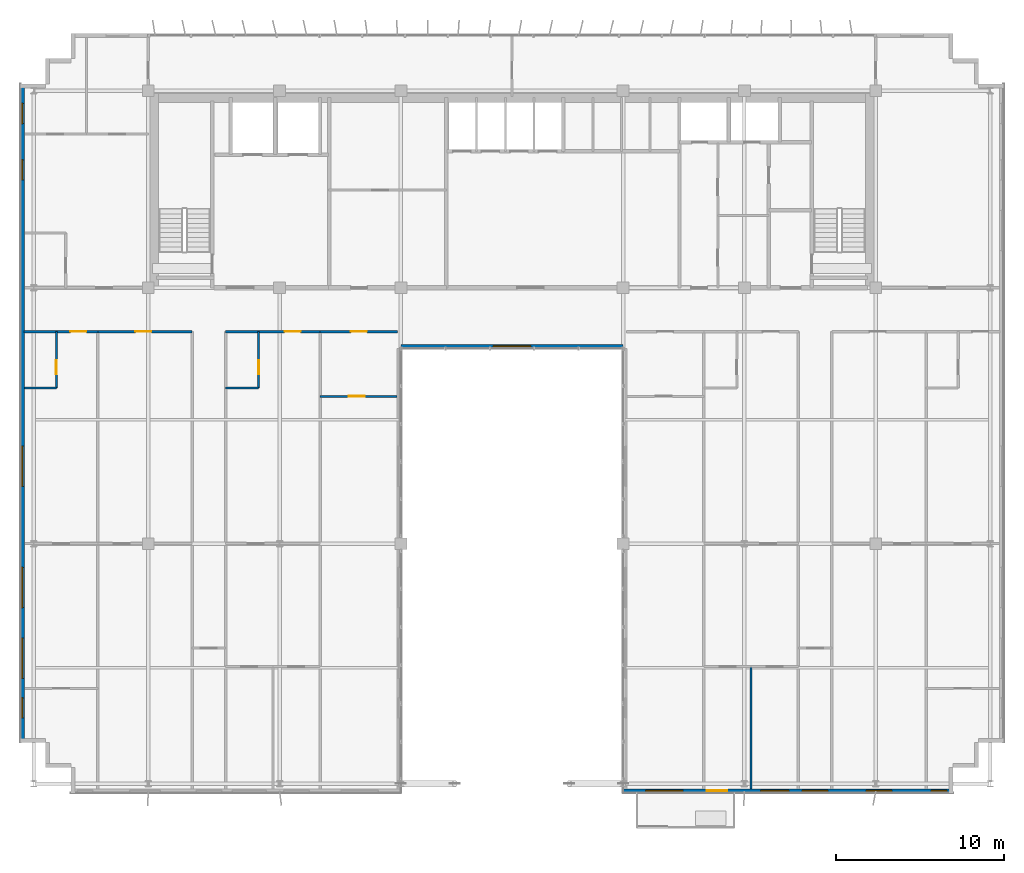
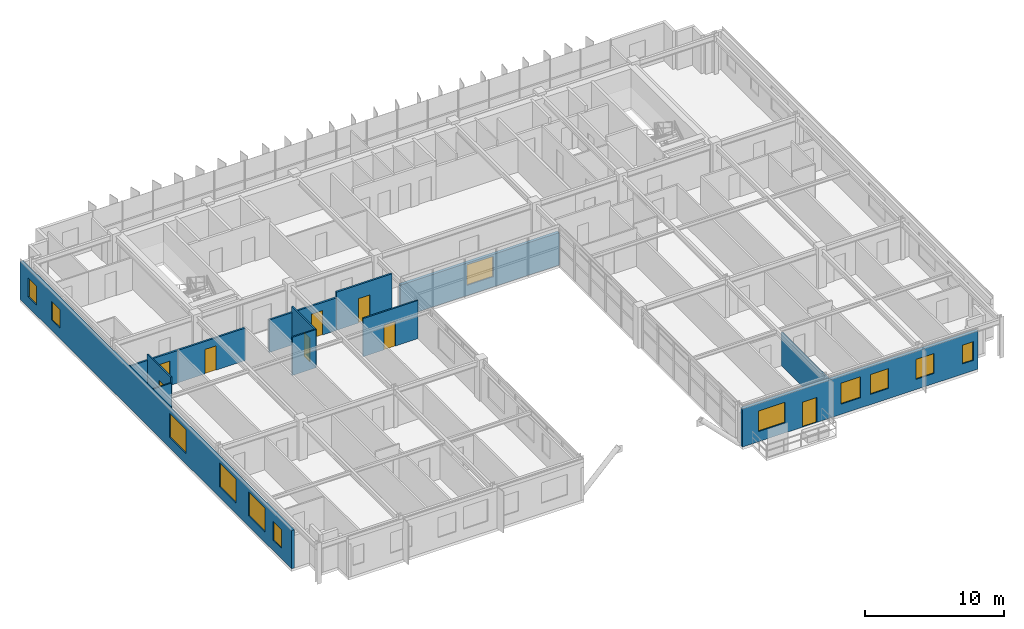
# One storey, part 28 of 34: 13 walls, 12 windows, 8 doors, 20 openings.
"""IFC4 building model written with IfcOpenShell, lengths in metres."""

from ifc_helpers import new_model, si_unit, direction, frame, frame_2d, origin, place, context, subcontext, project, spatial, rectangle, extrude, source, transform, mapped, material, layer, layer_set, type_object, element, fill, save


model = new_model("IFC4")

# Units and contexts
model_context = context("Model", 3, precision=1e-05, world=origin(), true_north=direction((0.0, 1.0)))
body_context = subcontext(model_context, "Body", "Model", "MODEL_VIEW")
ifc_project = project(units=[si_unit("LENGTHUNIT", "METRE"), si_unit("AREAUNIT", "SQUARE_METRE"), si_unit("VOLUMEUNIT", "CUBIC_METRE"), si_unit("PLANEANGLEUNIT", "RADIAN"), si_unit("MASSUNIT", "GRAM", prefix="KILO")], contexts=[model_context])

# Site, building, storey
site_placement = place(None, origin())
site = spatial("IfcSite", under=ifc_project, at=site_placement, CompositionType="ELEMENT")
building_placement = place(site_placement, origin())
building = spatial("IfcBuilding", under=site, at=building_placement, Name="Trelvane Seafront Commons", CompositionType="ELEMENT")
storey_placement = place(building_placement, frame((0.0, 0.0, 197.699951171875)))
storey = spatial("IfcBuildingStorey", under=building, at=storey_placement, Name="L51", CompositionType="ELEMENT", Elevation=197.699951171875)

# Wall, openings, windows
ifc_material_1 = material(Name="Precast concrete C40/50", Category="concrete")
ifc_layer_1 = layer(ifc_material_1, 0.239990234375, Name="ARCH-WALL-EXT240")
ifc_layer_set_1 = layer_set([ifc_layer_1], Name="Precast concrete C40/50")
wall_type_1 = type_object("IfcWallType", Name="ARCH-WALL-EXT240", PredefinedType="SOLIDWALL", material=ifc_layer_set_1)
wall_1_placement = place(storey_placement, frame((8.1201171875, 6.39990234375, 0.0), z_axis=(0.0, 0.0, 1.0), x_axis=(0.0, 1.0, 0.0)))
wall_1 = element("IfcWall", 1, at=wall_1_placement, inside=storey, type_object=wall_type_1, Name="EW-L51-01012", PredefinedType="SOLIDWALL", context=body_context, shape_type="SweptSolid", body=[
    extrude(rectangle(XDim=39.10009765625, YDim=0.239990234375, at=frame_2d((19.550048828125, 0.0))), origin(), (0.0, 0.0, 1.0), 3.360107421875),
])
opening_1_placement = place(wall_1_placement, frame((1.449951171875, 0.0, 0.919921875)))
opening_1 = element("IfcOpeningElement", 2, at=opening_1_placement, cuts=wall_1, Name="Opening W05", PredefinedType="OPENING", context=body_context, shape_type="SweptSolid", body=[
    extrude(rectangle(XDim=1.199951171875, YDim=1.64990234375, at=frame_2d((0.60009765625, 0.824951171875))), frame((0.0, 0.1298828125, 0.0), z_axis=(0.0, -1.0, 0.0), x_axis=(1.0, 0.0, 0.0)), (0.0, 0.0, 1.0), 0.260009765625),
])
opening_2_placement = place(wall_1_placement, frame((3.800048828125, 0.0, 0.919921875)))
opening_2 = element("IfcOpeningElement", 3, at=opening_2_placement, cuts=wall_1, Name="Opening W08", PredefinedType="OPENING", context=body_context, shape_type="SweptSolid", body=[
    extrude(rectangle(XDim=2.39990234375, YDim=2.10009765625, at=frame_2d((1.199951171875, 1.050048828125))), frame((0.0, 0.1298828125, 0.0), z_axis=(0.0, -1.0, 0.0), x_axis=(1.0, 0.0, 0.0)), (0.0, 0.0, 1.0), 0.260009765625),
])
opening_3_placement = place(wall_1_placement, frame((8.0, 0.0, 0.919921875)))
opening_3 = element("IfcOpeningElement", 4, at=opening_3_placement, cuts=wall_1, Name="Opening W08", PredefinedType="OPENING", context=body_context, shape_type="SweptSolid", body=[
    extrude(rectangle(XDim=2.39990234375, YDim=2.10009765625, at=frame_2d((1.199951171875, 1.050048828125))), frame((0.0, 0.1298828125, 0.0), z_axis=(0.0, -1.0, 0.0), x_axis=(1.0, 0.0, 0.0)), (0.0, 0.0, 1.0), 0.260009765625),
])
opening_4_placement = place(wall_1_placement, frame((15.199951171875, 0.0, 0.919921875)))
opening_4 = element("IfcOpeningElement", 5, at=opening_4_placement, cuts=wall_1, Name="Opening W08", PredefinedType="OPENING", context=body_context, shape_type="SweptSolid", body=[
    extrude(rectangle(XDim=2.39990234375, YDim=2.10009765625, at=frame_2d((1.199951171875, 1.050048828125))), frame((0.0, 0.1298828125, 0.0), z_axis=(0.0, -1.0, 0.0), x_axis=(1.0, 0.0, 0.0)), (0.0, 0.0, 1.0), 0.260009765625),
])
opening_5_placement = place(wall_1_placement, frame((33.39990234375, 0.0, 0.919921875)))
opening_5 = element("IfcOpeningElement", 6, at=opening_5_placement, cuts=wall_1, Name="Opening W05", PredefinedType="OPENING", context=body_context, shape_type="SweptSolid", body=[
    extrude(rectangle(XDim=1.199951171875, YDim=1.64990234375, at=frame_2d((0.60009765625, 0.824951171875))), frame((0.0, 0.1298828125, 0.0), z_axis=(0.0, -1.0, 0.0), x_axis=(1.0, 0.0, 0.0)), (0.0, 0.0, 1.0), 0.260009765625),
])
opening_6_placement = place(wall_1_placement, frame((36.75, 0.0, 0.919921875)))
opening_6 = element("IfcOpeningElement", 7, at=opening_6_placement, cuts=wall_1, Name="Opening W05", PredefinedType="OPENING", context=body_context, shape_type="SweptSolid", body=[
    extrude(rectangle(XDim=1.199951171875, YDim=1.64990234375, at=frame_2d((0.60009765625, 0.824951171875))), frame((0.0, 0.1298828125, 0.0), z_axis=(0.0, -1.0, 0.0), x_axis=(1.0, 0.0, 0.0)), (0.0, 0.0, 1.0), 0.260009765625),
])
ifc_material_2 = material(Name="Low-E coastal double glazing", Category="glass")
window_type_1 = type_object("IfcWindowType", Name="ARCH-WIN-W08", PartitioningType="SINGLE_PANEL", PredefinedType="WINDOW", material=ifc_material_2)
shared_shape_1 = source(origin(), body_context, "Body", "SweptSolid", [
    extrude(rectangle(XDim=2.39990234375, YDim=2.10009765625, at=frame_2d((1.199951171875, 1.050048828125))), frame((0.0, 0.030029296875, 0.0), z_axis=(0.0, -1.0, 0.0), x_axis=(1.0, 0.0, 0.0)), (0.0, 0.0, 1.0), 0.06005859375),
])
window_1_placement = place(opening_2_placement, origin())
window_1 = element("IfcWindow", 8, at=window_1_placement, inside=storey, type_object=window_type_1, Name="WIN-L51-EW-01204", OverallHeight=2.10009765625, OverallWidth=2.39990234375, PartitioningType="SINGLE_PANEL", PredefinedType="WINDOW", context=body_context, shape_type="MappedRepresentation", body=[
    mapped(shared_shape_1, transform((0.0, 0.0, 0.0), x_axis=(1.0, 0.0, 0.0), y_axis=(0.0, 1.0, 0.0), z_axis=(0.0, 0.0, 1.0), scale=1.0)),
])
fill(opening_2, window_1)
window_2_placement = place(opening_3_placement, origin())
window_2 = element("IfcWindow", 9, at=window_2_placement, inside=storey, type_object=window_type_1, Name="WIN-L51-EW-01205", OverallHeight=2.10009765625, OverallWidth=2.39990234375, PartitioningType="SINGLE_PANEL", PredefinedType="WINDOW", context=body_context, shape_type="MappedRepresentation", body=[
    mapped(shared_shape_1, transform((0.0, 0.0, 0.0), x_axis=(1.0, 0.0, 0.0), y_axis=(0.0, 1.0, 0.0), z_axis=(0.0, 0.0, 1.0), scale=1.0)),
])
fill(opening_3, window_2)
window_3_placement = place(opening_4_placement, origin())
window_3 = element("IfcWindow", 10, at=window_3_placement, inside=storey, type_object=window_type_1, Name="WIN-L51-EW-01206", OverallHeight=2.10009765625, OverallWidth=2.39990234375, PartitioningType="SINGLE_PANEL", PredefinedType="WINDOW", context=body_context, shape_type="MappedRepresentation", body=[
    mapped(shared_shape_1, transform((0.0, 0.0, 0.0), x_axis=(1.0, 0.0, 0.0), y_axis=(0.0, 1.0, 0.0), z_axis=(0.0, 0.0, 1.0), scale=1.0)),
])
fill(opening_4, window_3)
window_type_2 = type_object("IfcWindowType", Name="ARCH-WIN-W05", PartitioningType="SINGLE_PANEL", PredefinedType="WINDOW", material=ifc_material_2)
shared_shape_2 = source(origin(), body_context, "Body", "SweptSolid", [
    extrude(rectangle(XDim=1.199951171875, YDim=1.64990234375, at=frame_2d((0.60009765625, 0.824951171875))), frame((0.0, 0.030029296875, 0.0), z_axis=(0.0, -1.0, 0.0), x_axis=(1.0, 0.0, 0.0)), (0.0, 0.0, 1.0), 0.06005859375),
])
window_4_placement = place(opening_1_placement, origin())
window_4 = element("IfcWindow", 11, at=window_4_placement, inside=storey, type_object=window_type_2, Name="WIN-L51-EW-01203", OverallHeight=1.64990234375, OverallWidth=1.199951171875, PartitioningType="SINGLE_PANEL", PredefinedType="WINDOW", context=body_context, shape_type="MappedRepresentation", body=[
    mapped(shared_shape_2, transform((0.0, 0.0, 0.0), x_axis=(1.0, 0.0, 0.0), y_axis=(0.0, 1.0, 0.0), z_axis=(0.0, 0.0, 1.0), scale=1.0)),
])
fill(opening_1, window_4)
window_5_placement = place(opening_5_placement, origin())
window_5 = element("IfcWindow", 12, at=window_5_placement, inside=storey, type_object=window_type_2, Name="WIN-L51-EW-01207", OverallHeight=1.64990234375, OverallWidth=1.199951171875, PartitioningType="SINGLE_PANEL", PredefinedType="WINDOW", context=body_context, shape_type="MappedRepresentation", body=[
    mapped(shared_shape_2, transform((0.0, 0.0, 0.0), x_axis=(1.0, 0.0, 0.0), y_axis=(0.0, 1.0, 0.0), z_axis=(0.0, 0.0, 1.0), scale=1.0)),
])
fill(opening_5, window_5)
window_6_placement = place(opening_6_placement, origin())
window_6 = element("IfcWindow", 13, at=window_6_placement, inside=storey, type_object=window_type_2, Name="WIN-L51-EW-01208", OverallHeight=1.64990234375, OverallWidth=1.199951171875, PartitioningType="SINGLE_PANEL", PredefinedType="WINDOW", context=body_context, shape_type="MappedRepresentation", body=[
    mapped(shared_shape_2, transform((0.0, 0.0, 0.0), x_axis=(1.0, 0.0, 0.0), y_axis=(0.0, 1.0, 0.0), z_axis=(0.0, 0.0, 1.0), scale=1.0)),
])
fill(opening_6, window_6)

# Wall, openings, door, windows
wall_2_placement = place(storey_placement, frame((63.39990234375, 3.52001953125, 0.0), z_axis=(0.0, 0.0, 1.0), x_axis=(-1.0, 0.0, 0.0)))
wall_2 = element("IfcWall", 14, at=wall_2_placement, inside=storey, type_object=wall_type_1, Name="EW-L51-01026", PredefinedType="SOLIDWALL", context=body_context, shape_type="SweptSolid", body=[
    extrude(rectangle(XDim=19.599853515625, YDim=0.239990234375, at=frame_2d((9.7998046875, 0.0))), origin(), (0.0, 0.0, 1.0), 3.360107421875),
])
opening_7_placement = place(wall_2_placement, frame((0.39501953125, 0.0, 0.89990234375)))
opening_7 = element("IfcOpeningElement", 15, at=opening_7_placement, cuts=wall_2, Name="Opening W11", PredefinedType="OPENING", context=body_context, shape_type="SweptSolid", body=[
    extrude(rectangle(XDim=0.89990234375, YDim=1.64990234375, at=frame_2d((0.449951171875, 0.824951171875))), frame((0.0, 0.1298828125, 0.0), z_axis=(0.0, -1.0, 0.0), x_axis=(1.0, 0.0, 0.0)), (0.0, 0.0, 1.0), 0.260009765625),
])
opening_8_placement = place(wall_2_placement, frame((3.64990234375, 0.0, 0.89990234375)))
opening_8 = element("IfcOpeningElement", 16, at=opening_8_placement, cuts=wall_2, Name="Opening W03", PredefinedType="OPENING", context=body_context, shape_type="SweptSolid", body=[
    extrude(rectangle(XDim=1.5, YDim=1.75, at=frame_2d((0.75, 0.875))), frame((0.0, 0.1298828125, 0.0), z_axis=(0.0, -1.0, 0.0), x_axis=(1.0, 0.0, 0.0)), (0.0, 0.0, 1.0), 0.260009765625),
])
opening_9_placement = place(wall_2_placement, frame((7.449951171875, 0.0, 0.89990234375)))
opening_9 = element("IfcOpeningElement", 17, at=opening_9_placement, cuts=wall_2, Name="Opening W03", PredefinedType="OPENING", context=body_context, shape_type="SweptSolid", body=[
    extrude(rectangle(XDim=1.5, YDim=1.75, at=frame_2d((0.75, 0.875))), frame((0.0, 0.1298828125, 0.0), z_axis=(0.0, -1.0, 0.0), x_axis=(1.0, 0.0, 0.0)), (0.0, 0.0, 1.0), 0.260009765625),
])
opening_10_placement = place(wall_2_placement, frame((9.77490234375, 0.0, 0.89990234375)))
opening_10 = element("IfcOpeningElement", 18, at=opening_10_placement, cuts=wall_2, Name="Opening W07", PredefinedType="OPENING", context=body_context, shape_type="SweptSolid", body=[
    extrude(rectangle(XDim=1.64990234375, YDim=1.85009765625, at=frame_2d((0.824951171875, 0.925048828125))), frame((0.0, 0.1298828125, 0.0), z_axis=(0.0, -1.0, 0.0), x_axis=(1.0, 0.0, 0.0)), (0.0, 0.0, 1.0), 0.260009765625),
])
opening_11_placement = place(wall_2_placement, frame((13.419921875, 0.0, 0.0)))
opening_11 = element("IfcOpeningElement", 19, at=opening_11_placement, cuts=wall_2, Name="Opening BD-L51-112", PredefinedType="OPENING", context=body_context, shape_type="SweptSolid", body=[
    extrude(rectangle(XDim=1.199951171875, YDim=2.199951171875, at=frame_2d((0.60009765625, 1.10009765625))), frame((0.0, 0.1298828125, 0.0), z_axis=(0.0, -1.0, 0.0), x_axis=(1.0, 0.0, 0.0)), (0.0, 0.0, 1.0), 0.260009765625),
])
opening_12_placement = place(wall_2_placement, frame((16.054931640625, 0.0, 0.89990234375)))
opening_12 = element("IfcOpeningElement", 20, at=opening_12_placement, cuts=wall_2, Name="Opening W02", PredefinedType="OPENING", context=body_context, shape_type="SweptSolid", body=[
    extrude(rectangle(XDim=2.199951171875, YDim=1.800048828125, at=frame_2d((1.10009765625, 0.89990234375))), frame((0.0, 0.1298828125, 0.0), z_axis=(0.0, -1.0, 0.0), x_axis=(1.0, 0.0, 0.0)), (0.0, 0.0, 1.0), 0.260009765625),
])
ifc_material_3 = material(Name="Powder-coated aluminium frame", Category="aluminium")
door_type_1 = type_object("IfcDoorType", Name="ARCH-DR-BAL1200", OperationType="NOTDEFINED", PredefinedType="DOOR", material=ifc_material_3)
shared_shape_3 = source(origin(), body_context, "Body", "SweptSolid", [
    extrude(rectangle(XDim=1.199951171875, YDim=2.199951171875, at=frame_2d((0.60009765625, 1.10009765625))), frame((0.0, 0.02490234375, 0.0), z_axis=(0.0, -1.0, 0.0), x_axis=(1.0, 0.0, 0.0)), (0.0, 0.0, 1.0), 0.050048828125),
])
door_1_placement = place(opening_11_placement, origin())
door_1 = element("IfcDoor", 21, at=door_1_placement, inside=storey, type_object=door_type_1, Name="L51 Balcony Terrace Access Door", OperationType="SINGLE_SWING_LEFT", OverallHeight=2.199951171875, OverallWidth=1.199951171875, PredefinedType="DOOR", context=body_context, shape_type="MappedRepresentation", body=[
    mapped(shared_shape_3, transform((0.0, 0.0, 0.0), x_axis=(1.0, 0.0, 0.0), y_axis=(0.0, 1.0, 0.0), z_axis=(0.0, 0.0, 1.0), scale=1.0)),
])
fill(opening_11, door_1)
window_type_3 = type_object("IfcWindowType", Name="ARCH-WIN-W02", PartitioningType="SINGLE_PANEL", PredefinedType="WINDOW", material=ifc_material_2)
shared_shape_4 = source(origin(), body_context, "Body", "SweptSolid", [
    extrude(rectangle(XDim=2.199951171875, YDim=1.800048828125, at=frame_2d((1.10009765625, 0.89990234375))), frame((0.0, 0.030029296875, 0.0), z_axis=(0.0, -1.0, 0.0), x_axis=(1.0, 0.0, 0.0)), (0.0, 0.0, 1.0), 0.06005859375),
])
window_7_placement = place(opening_12_placement, origin())
window_7 = element("IfcWindow", 22, at=window_7_placement, inside=storey, type_object=window_type_3, Name="WIN-L51-01220", OverallHeight=1.800048828125, OverallWidth=2.199951171875, PartitioningType="SINGLE_PANEL", PredefinedType="WINDOW", context=body_context, shape_type="MappedRepresentation", body=[
    mapped(shared_shape_4, transform((0.0, 0.0, 0.0), x_axis=(1.0, 0.0, 0.0), y_axis=(0.0, 1.0, 0.0), z_axis=(0.0, 0.0, 1.0), scale=1.0)),
])
fill(opening_12, window_7)
window_type_4 = type_object("IfcWindowType", Name="ARCH-WIN-W03", PartitioningType="SINGLE_PANEL", PredefinedType="WINDOW", material=ifc_material_2)
shared_shape_5 = source(origin(), body_context, "Body", "SweptSolid", [
    extrude(rectangle(XDim=1.5, YDim=1.75, at=frame_2d((0.75, 0.875))), frame((0.0, 0.030029296875, 0.0), z_axis=(0.0, -1.0, 0.0), x_axis=(1.0, 0.0, 0.0)), (0.0, 0.0, 1.0), 0.06005859375),
])
window_8_placement = place(opening_8_placement, origin())
window_8 = element("IfcWindow", 23, at=window_8_placement, inside=storey, type_object=window_type_4, Name="WIN-L51-01217", OverallHeight=1.75, OverallWidth=1.5, PartitioningType="SINGLE_PANEL", PredefinedType="WINDOW", context=body_context, shape_type="MappedRepresentation", body=[
    mapped(shared_shape_5, transform((0.0, 0.0, 0.0), x_axis=(1.0, 0.0, 0.0), y_axis=(0.0, 1.0, 0.0), z_axis=(0.0, 0.0, 1.0), scale=1.0)),
])
fill(opening_8, window_8)
window_9_placement = place(opening_9_placement, origin())
window_9 = element("IfcWindow", 24, at=window_9_placement, inside=storey, type_object=window_type_4, Name="WIN-L51-01218", OverallHeight=1.75, OverallWidth=1.5, PartitioningType="SINGLE_PANEL", PredefinedType="WINDOW", context=body_context, shape_type="MappedRepresentation", body=[
    mapped(shared_shape_5, transform((0.0, 0.0, 0.0), x_axis=(1.0, 0.0, 0.0), y_axis=(0.0, 1.0, 0.0), z_axis=(0.0, 0.0, 1.0), scale=1.0)),
])
fill(opening_9, window_9)
window_type_5 = type_object("IfcWindowType", Name="ARCH-WIN-W07", PartitioningType="SINGLE_PANEL", PredefinedType="WINDOW", material=ifc_material_2)
shared_shape_6 = source(origin(), body_context, "Body", "SweptSolid", [
    extrude(rectangle(XDim=1.64990234375, YDim=1.85009765625, at=frame_2d((0.824951171875, 0.925048828125))), frame((0.0, 0.030029296875, 0.0), z_axis=(0.0, -1.0, 0.0), x_axis=(1.0, 0.0, 0.0)), (0.0, 0.0, 1.0), 0.06005859375),
])
window_10_placement = place(opening_10_placement, origin())
window_10 = element("IfcWindow", 25, at=window_10_placement, inside=storey, type_object=window_type_5, Name="WIN-L51-01219", OverallHeight=1.85009765625, OverallWidth=1.64990234375, PartitioningType="SINGLE_PANEL", PredefinedType="WINDOW", context=body_context, shape_type="MappedRepresentation", body=[
    mapped(shared_shape_6, transform((0.0, 0.0, 0.0), x_axis=(1.0, 0.0, 0.0), y_axis=(0.0, 1.0, 0.0), z_axis=(0.0, 0.0, 1.0), scale=1.0)),
])
fill(opening_10, window_10)
window_type_6 = type_object("IfcWindowType", Name="ARCH-WIN-W11", PartitioningType="SINGLE_PANEL", PredefinedType="WINDOW", material=ifc_material_2)
shared_shape_7 = source(origin(), body_context, "Body", "SweptSolid", [
    extrude(rectangle(XDim=0.89990234375, YDim=1.64990234375, at=frame_2d((0.449951171875, 0.824951171875))), frame((0.0, 0.030029296875, 0.0), z_axis=(0.0, -1.0, 0.0), x_axis=(1.0, 0.0, 0.0)), (0.0, 0.0, 1.0), 0.06005859375),
])
window_11_placement = place(opening_7_placement, origin())
window_11 = element("IfcWindow", 26, at=window_11_placement, inside=storey, type_object=window_type_6, Name="WIN-L51-01216", OverallHeight=1.64990234375, OverallWidth=0.89990234375, PartitioningType="SINGLE_PANEL", PredefinedType="WINDOW", context=body_context, shape_type="MappedRepresentation", body=[
    mapped(shared_shape_7, transform((0.0, 0.0, 0.0), x_axis=(1.0, 0.0, 0.0), y_axis=(0.0, 1.0, 0.0), z_axis=(0.0, 0.0, 1.0), scale=1.0)),
])
fill(opening_7, window_11)

# Wall, opening, window
wall_3_placement = place(storey_placement, frame((43.800048828125, 29.919921875, 0.0), z_axis=(0.0, 0.0, 1.0), x_axis=(-1.0, 0.0, 0.0)))
wall_3 = element("IfcWall", 27, at=wall_3_placement, inside=storey, type_object=wall_type_1, Name="EW-L51-01028", PredefinedType="SOLIDWALL", context=body_context, shape_type="SweptSolid", body=[
    extrude(rectangle(XDim=13.199951171875, YDim=0.239990234375, at=frame_2d((6.60009765625, 0.0))), origin(), (0.0, 0.0, 1.0), 2.860107421875),
])
opening_13_placement = place(wall_3_placement, frame((5.5, 0.0, 0.89990234375)))
opening_13 = element("IfcOpeningElement", 28, at=opening_13_placement, cuts=wall_3, Name="Opening W02", PredefinedType="OPENING", context=body_context, shape_type="SweptSolid", body=[
    extrude(rectangle(XDim=2.199951171875, YDim=1.800048828125, at=frame_2d((1.10009765625, 0.89990234375))), frame((0.0, 0.1298828125, 0.0), z_axis=(0.0, -1.0, 0.0), x_axis=(1.0, 0.0, 0.0)), (0.0, 0.0, 1.0), 0.260009765625),
])
window_12_placement = place(opening_13_placement, origin())
window_12 = element("IfcWindow", 29, at=window_12_placement, inside=storey, type_object=window_type_3, Name="WIN-L51-01225", OverallHeight=1.800048828125, OverallWidth=2.199951171875, PartitioningType="SINGLE_PANEL", PredefinedType="WINDOW", context=body_context, shape_type="MappedRepresentation", body=[
    mapped(shared_shape_4, transform((0.0, 0.0, 0.0), x_axis=(1.0, 0.0, 0.0), y_axis=(0.0, 1.0, 0.0), z_axis=(0.0, 0.0, 1.0), scale=1.0)),
])
fill(opening_13, window_12)

# Wall, opening, door
ifc_material_4 = material(Name="Gypsum Drywall Acoustic Partition")
ifc_layer_2 = layer(ifc_material_4, 0.1201171875, Name="ARCH-WALL-PART120")
ifc_layer_set_2 = layer_set([ifc_layer_2], Name="Gypsum Drywall Acoustic Partition")
wall_type_2 = type_object("IfcWallType", Name="ARCH-WALL-PART120", PredefinedType="PARTITIONING", material=ifc_layer_set_2)
wall_4_placement = place(storey_placement, frame((10.139892578125, 27.449951171875, 0.0), z_axis=(0.0, 0.0, 1.0), x_axis=(0.0, 1.0, 0.0)))
wall_4 = element("IfcWall", 30, at=wall_4_placement, inside=storey, type_object=wall_type_2, Name="W-L51-U1-BE-051", PredefinedType="PARTITIONING", context=body_context, shape_type="SweptSolid", body=[
    extrude(rectangle(XDim=3.35009765625, YDim=0.1201171875, at=frame_2d((1.675048828125, 0.0))), origin(), (0.0, 0.0, 1.0), 3.360107421875),
])
opening_14_placement = place(wall_4_placement, frame((0.800048828125, 0.0, 0.0)))
opening_14 = element("IfcOpeningElement", 31, at=opening_14_placement, cuts=wall_4, Name="Opening D-L51-29", PredefinedType="OPENING", context=body_context, shape_type="SweptSolid", body=[
    extrude(rectangle(XDim=0.85009765625, YDim=2.10009765625, at=frame_2d((0.425048828125, 1.050048828125))), frame((0.0, 0.070068359375, 0.0), z_axis=(0.0, -1.0, 0.0), x_axis=(1.0, 0.0, 0.0)), (0.0, 0.0, 1.0), 0.14013671875),
])
ifc_material_5 = material(Name="Acoustic timber door leaf", Category="wood")
door_type_2 = type_object("IfcDoorType", Name="ARCH-DR-INT850", OperationType="NOTDEFINED", PredefinedType="DOOR", material=ifc_material_5)
shared_shape_8 = source(origin(), body_context, "Body", "SweptSolid", [
    extrude(rectangle(XDim=0.85009765625, YDim=2.10009765625, at=frame_2d((0.425048828125, 1.050048828125))), frame((0.0, 0.02490234375, 0.0), z_axis=(0.0, -1.0, 0.0), x_axis=(1.0, 0.0, 0.0)), (0.0, 0.0, 1.0), 0.050048828125),
])
door_2_placement = place(opening_14_placement, origin())
door_2 = element("IfcDoor", 32, at=door_2_placement, inside=storey, type_object=door_type_2, Name="L51 Door 29", OperationType="SINGLE_SWING_LEFT", OverallHeight=2.10009765625, OverallWidth=0.85009765625, PredefinedType="DOOR", context=body_context, shape_type="MappedRepresentation", body=[
    mapped(shared_shape_8, transform((0.0, 0.0, 0.0), x_axis=(1.0, 0.0, 0.0), y_axis=(0.0, 1.0, 0.0), z_axis=(0.0, 0.0, 1.0), scale=1.0)),
])
fill(opening_14, door_2)

# Wall
wall_5_placement = place(storey_placement, frame((8.239990234375, 27.449951171875, 0.0), z_axis=(0.0, 0.0, 1.0), x_axis=(1.0, 0.0, 0.0)))
element("IfcWall", 33, at=wall_5_placement, inside=storey, type_object=wall_type_2, Name="W-L51-U1-BS-052", PredefinedType="PARTITIONING", context=body_context, shape_type="SweptSolid", body=[
    extrude(rectangle(XDim=1.89990234375, YDim=0.1201171875, at=frame_2d((0.949951171875, 0.0))), origin(), (0.0, 0.0, 1.0), 2.860107421875),
])

# Wall, opening, door
wall_6_placement = place(storey_placement, frame((22.154052734375, 27.449951171875, 0.0), z_axis=(0.0, 0.0, 1.0), x_axis=(0.0, 1.0, 0.0)))
wall_6 = element("IfcWall", 34, at=wall_6_placement, inside=storey, type_object=wall_type_2, Name="W-L51-U4-BE-061", PredefinedType="PARTITIONING", context=body_context, shape_type="SweptSolid", body=[
    extrude(rectangle(XDim=3.35009765625, YDim=0.1201171875, at=frame_2d((1.675048828125, 0.0))), origin(), (0.0, 0.0, 1.0), 3.360107421875),
])
opening_15_placement = place(wall_6_placement, frame((0.800048828125, 0.0, 0.0)))
opening_15 = element("IfcOpeningElement", 35, at=opening_15_placement, cuts=wall_6, Name="Opening D-L51-36", PredefinedType="OPENING", context=body_context, shape_type="SweptSolid", body=[
    extrude(rectangle(XDim=0.85009765625, YDim=2.10009765625, at=frame_2d((0.425048828125, 1.050048828125))), frame((0.0, 0.070068359375, 0.0), z_axis=(0.0, -1.0, 0.0), x_axis=(1.0, 0.0, 0.0)), (0.0, 0.0, 1.0), 0.14013671875),
])
door_3_placement = place(opening_15_placement, origin())
door_3 = element("IfcDoor", 36, at=door_3_placement, inside=storey, type_object=door_type_2, Name="L51 Door 36", OperationType="SINGLE_SWING_RIGHT", OverallHeight=2.10009765625, OverallWidth=0.85009765625, PredefinedType="DOOR", context=body_context, shape_type="MappedRepresentation", body=[
    mapped(shared_shape_8, transform((0.0, 0.0, 0.0), x_axis=(1.0, 0.0, 0.0), y_axis=(0.0, 1.0, 0.0), z_axis=(0.0, 0.0, 1.0), scale=1.0)),
])
fill(opening_15, door_3)

# Wall
wall_7_placement = place(storey_placement, frame((20.199951171875, 27.449951171875, 0.0), z_axis=(0.0, 0.0, 1.0), x_axis=(1.0, 0.0, 0.0)))
element("IfcWall", 37, at=wall_7_placement, inside=storey, type_object=wall_type_2, Name="W-L51-U4-BS-062", PredefinedType="PARTITIONING", context=body_context, shape_type="SweptSolid", body=[
    extrude(rectangle(XDim=1.9541015625, YDim=0.1201171875, at=frame_2d((0.97705078125, 0.0))), origin(), (0.0, 0.0, 1.0), 3.360107421875),
])

# Wall, opening, door
wall_8_placement = place(storey_placement, frame((25.800048828125, 26.949951171875, 0.0), z_axis=(0.0, 0.0, 1.0), x_axis=(1.0, 0.0, 0.0)))
wall_8 = element("IfcWall", 38, at=wall_8_placement, inside=storey, type_object=wall_type_2, Name="W-L51-U5-DIV-068", PredefinedType="PARTITIONING", context=body_context, shape_type="SweptSolid", body=[
    extrude(rectangle(XDim=4.574951171875, YDim=0.1201171875, at=frame_2d((2.28759765625, 0.0))), origin(), (0.0, 0.0, 1.0), 3.360107421875),
])
opening_16_placement = place(wall_8_placement, frame((1.717041015625, 0.0, 0.0)))
opening_16 = element("IfcOpeningElement", 39, at=opening_16_placement, cuts=wall_8, Name="Opening D-L51-41", PredefinedType="OPENING", context=body_context, shape_type="SweptSolid", body=[
    extrude(rectangle(XDim=0.949951171875, YDim=2.14990234375, at=frame_2d((0.47509765625, 1.074951171875))), frame((0.0, 0.070068359375, 0.0), z_axis=(0.0, -1.0, 0.0), x_axis=(1.0, 0.0, 0.0)), (0.0, 0.0, 1.0), 0.14013671875),
])
door_type_3 = type_object("IfcDoorType", Name="ARCH-DR-INT950", OperationType="NOTDEFINED", PredefinedType="DOOR", material=ifc_material_5)
shared_shape_9 = source(origin(), body_context, "Body", "SweptSolid", [
    extrude(rectangle(XDim=0.949951171875, YDim=2.14990234375, at=frame_2d((0.47509765625, 1.074951171875))), frame((0.0, 0.02490234375, 0.0), z_axis=(0.0, -1.0, 0.0), x_axis=(1.0, 0.0, 0.0)), (0.0, 0.0, 1.0), 0.050048828125),
])
door_4_placement = place(opening_16_placement, origin())
door_4 = element("IfcDoor", 40, at=door_4_placement, inside=storey, type_object=door_type_3, Name="L51 Door 41", OperationType="SINGLE_SWING_LEFT", OverallHeight=2.14990234375, OverallWidth=0.949951171875, PredefinedType="DOOR", context=body_context, shape_type="MappedRepresentation", body=[
    mapped(shared_shape_9, transform((0.0, 0.0, 0.0), x_axis=(1.0, 0.0, 0.0), y_axis=(0.0, 1.0, 0.0), z_axis=(0.0, 0.0, 1.0), scale=1.0)),
])
fill(opening_16, door_4)

# Wall
wall_9_placement = place(storey_placement, frame((51.39990234375, 3.625, 0.0), z_axis=(0.0, 0.0, 1.0), x_axis=(0.0, 1.0, 0.0)))
element("IfcWall", 41, at=wall_9_placement, inside=storey, type_object=wall_type_2, Name="W-L51-U8-BDV-1-077", PredefinedType="PARTITIONING", context=body_context, shape_type="SweptSolid", body=[
    extrude(rectangle(XDim=7.27490234375, YDim=0.1201171875, at=frame_2d((3.637451171875, 0.0))), origin(), (0.0, 0.0, 1.0), 2.91015625),
])

# Wall, opening, door
ifc_layer_3 = layer(ifc_material_4, 0.14990234375, Name="ARCH-WALL-PART150")
ifc_layer_set_3 = layer_set([ifc_layer_3], Name="Gypsum Drywall Acoustic Partition")
wall_type_3 = type_object("IfcWallType", Name="ARCH-WALL-PART150", PredefinedType="PARTITIONING", material=ifc_layer_set_3)
wall_10_placement = place(storey_placement, frame((8.22509765625, 30.800048828125, 0.0), z_axis=(0.0, 0.0, 1.0), x_axis=(1.0, 0.0, 0.0)))
wall_10 = element("IfcWall", 42, at=wall_10_placement, inside=storey, type_object=wall_type_3, Name="W-L51-CS-BAY-1-053", PredefinedType="PARTITIONING", context=body_context, shape_type="SweptSolid", body=[
    extrude(rectangle(XDim=4.375, YDim=0.14990234375, at=frame_2d((2.1875, 0.0))), origin(), (0.0, 0.0, 1.0), 2.860107421875),
])
opening_17_placement = place(wall_10_placement, frame((2.743896484375, 0.0, 0.0)))
opening_17 = element("IfcOpeningElement", 43, at=opening_17_placement, cuts=wall_10, Name="Opening FD-L51-30", PredefinedType="OPENING", context=body_context, shape_type="SweptSolid", body=[
    extrude(rectangle(XDim=0.949951171875, YDim=2.14990234375, at=frame_2d((0.47509765625, 1.074951171875))), frame((0.0, 0.0849609375, 0.0), z_axis=(0.0, -1.0, 0.0), x_axis=(1.0, 0.0, 0.0)), (0.0, 0.0, 1.0), 0.169921875),
])
door_type_4 = type_object("IfcDoorType", Name="ARCH-DR-FD60-950", OperationType="NOTDEFINED", PredefinedType="DOOR", material=ifc_material_3)
door_5_placement = place(opening_17_placement, origin())
door_5 = element("IfcDoor", 44, at=door_5_placement, inside=storey, type_object=door_type_4, Name="L51 Unit 01 Entrance Door", OperationType="SINGLE_SWING_RIGHT", OverallHeight=2.14990234375, OverallWidth=0.949951171875, PredefinedType="DOOR", context=body_context, shape_type="MappedRepresentation", body=[
    mapped(shared_shape_9, transform((0.0, 0.0, 0.0), x_axis=(1.0, 0.0, 0.0), y_axis=(0.0, 1.0, 0.0), z_axis=(0.0, 0.0, 1.0), scale=1.0)),
])
fill(opening_17, door_5)

wall_11_placement = place(storey_placement, frame((12.60009765625, 30.800048828125, 0.0), z_axis=(0.0, 0.0, 1.0), x_axis=(1.0, 0.0, 0.0)))
wall_11 = element("IfcWall", 45, at=wall_11_placement, inside=storey, type_object=wall_type_3, Name="W-L51-CS-BAY-2-055", PredefinedType="PARTITIONING", context=body_context, shape_type="SweptSolid", body=[
    extrude(rectangle(XDim=5.599853515625, YDim=0.14990234375, at=frame_2d((2.7998046875, 0.0))), origin(), (0.0, 0.0, 1.0), 2.860107421875),
])
opening_18_placement = place(wall_11_placement, frame((2.23193359375, 0.0, 0.0)))
opening_18 = element("IfcOpeningElement", 46, at=opening_18_placement, cuts=wall_11, Name="Opening FD-L51-32", PredefinedType="OPENING", context=body_context, shape_type="SweptSolid", body=[
    extrude(rectangle(XDim=0.949951171875, YDim=2.14990234375, at=frame_2d((0.47509765625, 1.074951171875))), frame((0.0, 0.0849609375, 0.0), z_axis=(0.0, -1.0, 0.0), x_axis=(1.0, 0.0, 0.0)), (0.0, 0.0, 1.0), 0.169921875),
])
door_6_placement = place(opening_18_placement, origin())
door_6 = element("IfcDoor", 47, at=door_6_placement, inside=storey, type_object=door_type_4, Name="L51 Bay 02 Entrance Door", OperationType="SINGLE_SWING_RIGHT", OverallHeight=2.14990234375, OverallWidth=0.949951171875, PredefinedType="DOOR", context=body_context, shape_type="MappedRepresentation", body=[
    mapped(shared_shape_9, transform((0.0, 0.0, 0.0), x_axis=(1.0, 0.0, 0.0), y_axis=(0.0, 1.0, 0.0), z_axis=(0.0, 0.0, 1.0), scale=1.0)),
])
fill(opening_18, door_6)

wall_12_placement = place(storey_placement, frame((20.199951171875, 30.800048828125, 0.0), z_axis=(0.0, 0.0, 1.0), x_axis=(1.0, 0.0, 0.0)))
wall_12 = element("IfcWall", 48, at=wall_12_placement, inside=storey, type_object=wall_type_3, Name="W-L51-CS-BAY-4-063", PredefinedType="PARTITIONING", context=body_context, shape_type="SweptSolid", body=[
    extrude(rectangle(XDim=5.60009765625, YDim=0.14990234375, at=frame_2d((2.800048828125, 0.0))), origin(), (0.0, 0.0, 1.0), 2.860107421875),
])
opening_19_placement = place(wall_12_placement, frame((3.491943359375, 0.0, 0.0)))
opening_19 = element("IfcOpeningElement", 49, at=opening_19_placement, cuts=wall_12, Name="Opening FD-L51-37", PredefinedType="OPENING", context=body_context, shape_type="SweptSolid", body=[
    extrude(rectangle(XDim=0.949951171875, YDim=2.14990234375, at=frame_2d((0.47509765625, 1.074951171875))), frame((0.0, 0.0849609375, 0.0), z_axis=(0.0, -1.0, 0.0), x_axis=(1.0, 0.0, 0.0)), (0.0, 0.0, 1.0), 0.169921875),
])
door_7_placement = place(opening_19_placement, origin())
door_7 = element("IfcDoor", 50, at=door_7_placement, inside=storey, type_object=door_type_4, Name="L51 Unit 04 Entrance Door", OperationType="SINGLE_SWING_LEFT", OverallHeight=2.14990234375, OverallWidth=0.949951171875, PredefinedType="DOOR", context=body_context, shape_type="MappedRepresentation", body=[
    mapped(shared_shape_9, transform((0.0, 0.0, 0.0), x_axis=(1.0, 0.0, 0.0), y_axis=(0.0, 1.0, 0.0), z_axis=(0.0, 0.0, 1.0), scale=1.0)),
])
fill(opening_19, door_7)

wall_13_placement = place(storey_placement, frame((25.800048828125, 30.800048828125, 0.0), z_axis=(0.0, 0.0, 1.0), x_axis=(1.0, 0.0, 0.0)))
wall_13 = element("IfcWall", 51, at=wall_13_placement, inside=storey, type_object=wall_type_3, Name="W-L51-CS-BAY-5-067", PredefinedType="PARTITIONING", context=body_context, shape_type="SweptSolid", body=[
    extrude(rectangle(XDim=4.599853515625, YDim=0.14990234375, at=frame_2d((2.2998046875, 0.0))), origin(), (0.0, 0.0, 1.0), 3.360107421875),
])
opening_20_placement = place(wall_13_placement, frame((1.824951171875, 0.0, 0.0)))
opening_20 = element("IfcOpeningElement", 52, at=opening_20_placement, cuts=wall_13, Name="Opening FD-L51-40", PredefinedType="OPENING", context=body_context, shape_type="SweptSolid", body=[
    extrude(rectangle(XDim=0.949951171875, YDim=2.14990234375, at=frame_2d((0.47509765625, 1.074951171875))), frame((0.0, 0.0849609375, 0.0), z_axis=(0.0, -1.0, 0.0), x_axis=(1.0, 0.0, 0.0)), (0.0, 0.0, 1.0), 0.169921875),
])
door_8_placement = place(opening_20_placement, origin())
door_8 = element("IfcDoor", 53, at=door_8_placement, inside=storey, type_object=door_type_4, Name="L51 Bay 05 Entrance Door", OperationType="SINGLE_SWING_RIGHT", OverallHeight=2.14990234375, OverallWidth=0.949951171875, PredefinedType="DOOR", context=body_context, shape_type="MappedRepresentation", body=[
    mapped(shared_shape_9, transform((0.0, 0.0, 0.0), x_axis=(1.0, 0.0, 0.0), y_axis=(0.0, 1.0, 0.0), z_axis=(0.0, 0.0, 1.0), scale=1.0)),
])
fill(opening_20, door_8)

save(model, "model.ifc")
